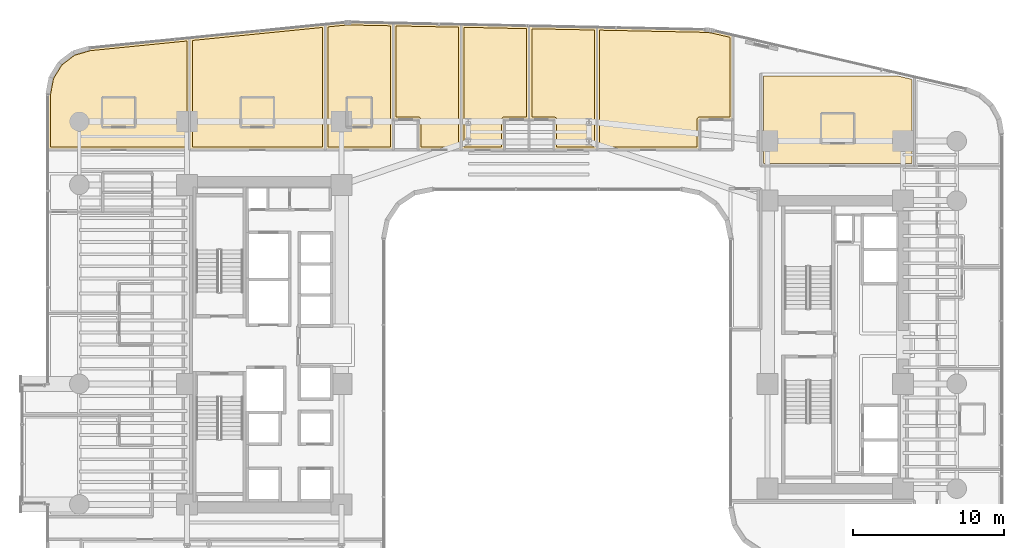
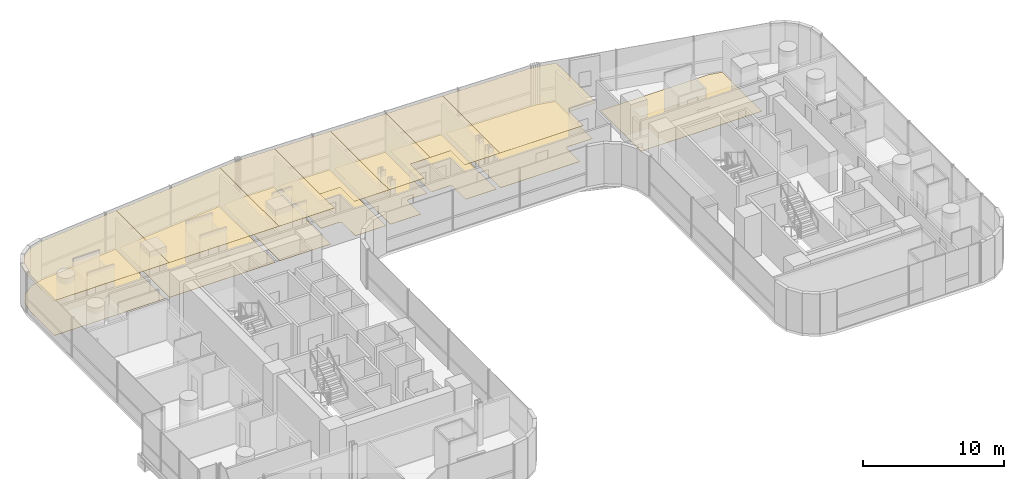
# One storey, part 41 of 42: 15 coverings.
"""IFC4 building model written with IfcOpenShell, lengths in metres."""

from ifc_helpers import new_model, si_unit, direction, frame, origin, place, context, subcontext, project, spatial, polyline, outline, extrude, material, layer, layer_set, type_object, element, save


model = new_model("IFC4")

# Units and contexts
model_context = context("Model", 3, precision=1e-05, world=origin(), true_north=direction((0.0, 1.0)))
body_context = subcontext(model_context, "Body", "Model", "MODEL_VIEW")
ifc_project = project(units=[si_unit("LENGTHUNIT", "METRE"), si_unit("AREAUNIT", "SQUARE_METRE"), si_unit("VOLUMEUNIT", "CUBIC_METRE"), si_unit("PLANEANGLEUNIT", "RADIAN"), si_unit("MASSUNIT", "GRAM", prefix="KILO")], contexts=[model_context])

# Site, building, storey
site_placement = place(None, origin())
site = spatial("IfcSite", under=ifc_project, at=site_placement, CompositionType="ELEMENT")
building_placement = place(site_placement, origin())
building = spatial("IfcBuilding", under=site, at=building_placement, Name="Valdorenza Pilgrim Sanctuary Tower", CompositionType="ELEMENT")
storey_placement = place(building_placement, frame((0.0, 0.0, 29.699951171875)))
storey = spatial("IfcBuildingStorey", under=building, at=storey_placement, Name="L06", CompositionType="ELEMENT", Elevation=29.699951171875)

# Coverings
ifc_material_1 = material(Name="Micro-perforated acoustic mineral ceiling tile", Category="gypsum")
ifc_layer_1 = layer(ifc_material_1, 0.02490234375, Name="Micro-perforated acoustic mineral ceiling tile")
ifc_layer_set_1 = layer_set([ifc_layer_1], Name="Micro-perforated acoustic mineral ceiling tile")
covering_type_1 = type_object("IfcCoveringType", Name="COV-CLG-ACU", PredefinedType="CEILING", material=ifc_layer_set_1)
covering_1_placement = place(storey_placement, frame((0.0, 0.0, 3.16015625)))
element("IfcCovering", 1, at=covering_1_placement, inside=storey, type_object=covering_type_1, Name="L06 North Guest Room L06-N1 Acoustic Ceiling", PredefinedType="CEILING", context=body_context, shape_type="SweptSolid", body=[
    extrude(outline(polyline([(-31.6962890625, 17.717041015625), (-31.696044921875, 17.718505859375), (-31.695556640625, 17.7197265625), (-31.695068359375, 17.720947265625), (-31.6943359375, 17.72216796875), (-31.102294921875, 18.68408203125), (-31.1015625, 18.685302734375), (-31.100830078125, 18.686279296875), (-31.099853515625, 18.687255859375), (-31.0986328125, 18.688232421875), (-30.20068359375, 19.372802734375), (-30.199462890625, 19.37353515625), (-30.1982421875, 19.374267578125), (-30.197021484375, 19.374755859375), (-30.19580078125, 19.375244140625), (-29.1015625, 19.694091796875), (-29.10009765625, 19.694580078125), (-29.098876953125, 19.694580078125), (-22.491455078125, 20.35546875), (-22.489990234375, 20.35546875), (-22.488525390625, 20.35546875), (-22.487060546875, 20.355224609375), (-22.485595703125, 20.354736328125), (-22.484375, 20.354248046875), (-22.48291015625, 20.353759765625), (-22.481689453125, 20.35302734375), (-22.48046875, 20.35205078125), (-22.4794921875, 20.35107421875), (-22.478515625, 20.35009765625), (-22.4775390625, 20.348876953125), (-22.476806640625, 20.34765625), (-22.47607421875, 20.34619140625), (-22.4755859375, 20.3447265625), (-22.475341796875, 20.343505859375), (-22.47509765625, 20.342041015625), (-22.47509765625, 20.340576171875), (-22.47509765625, 12.919921875), (-22.47509765625, 12.91845703125), (-22.475341796875, 12.9169921875), (-22.4755859375, 12.91552734375), (-22.47607421875, 12.914306640625), (-22.476806640625, 12.912841796875), (-22.4775390625, 12.91162109375), (-22.478515625, 12.910400390625), (-22.4794921875, 12.909423828125), (-22.48046875, 12.908447265625), (-22.481689453125, 12.907470703125), (-22.48291015625, 12.90673828125), (-22.484375, 12.906005859375), (-22.485595703125, 12.905517578125), (-22.487060546875, 12.9052734375), (-22.488525390625, 12.905029296875), (-22.489990234375, 12.905029296875), (-31.889892578125, 12.905029296875), (-31.8916015625, 12.905029296875), (-31.892822265625, 12.9052734375), (-31.894287109375, 12.905517578125), (-31.895751953125, 12.906005859375), (-31.897216796875, 12.90673828125), (-31.898193359375, 12.907470703125), (-31.8994140625, 12.908447265625), (-31.900634765625, 12.909423828125), (-31.901611328125, 12.910400390625), (-31.902587890625, 12.91162109375), (-31.9033203125, 12.912841796875), (-31.90380859375, 12.914306640625), (-31.904296875, 12.91552734375), (-31.90478515625, 12.9169921875), (-31.90478515625, 12.91845703125), (-31.905029296875, 12.919921875), (-31.905029296875, 16.593994140625), (-31.90478515625, 16.59521484375), (-31.90478515625, 16.5966796875), (-31.6962890625, 17.717041015625)])), origin(), (0.0, 0.0, 1.0), 0.02490234375),
])
covering_2_placement = place(storey_placement, frame((0.0, 0.0, 3.16015625)))
element("IfcCovering", 2, at=covering_2_placement, inside=storey, type_object=covering_type_1, Name="L06 North Guest Room L06-N2 Acoustic Ceiling", PredefinedType="CEILING", context=body_context, shape_type="SweptSolid", body=[
    extrude(outline(polyline([(-22.5029296875, 20.340576171875), (-22.5029296875, 20.341552734375), (-22.502685546875, 20.343017578125), (-22.50244140625, 20.344482421875), (-22.502197265625, 20.345947265625), (-22.50146484375, 20.347412109375), (-22.500732421875, 20.3486328125), (-22.499755859375, 20.349853515625), (-22.498779296875, 20.35107421875), (-22.497802734375, 20.35205078125), (-22.49658203125, 20.35302734375), (-22.495361328125, 20.353759765625), (-22.493896484375, 20.3544921875), (-22.492431640625, 20.35498046875), (-22.490966796875, 20.35546875), (-22.489501953125, 20.355712890625), (-13.4814453125, 21.25634765625), (-13.47998046875, 21.256591796875), (-13.478515625, 21.25634765625), (-13.47705078125, 21.256103515625), (-13.4755859375, 21.255859375), (-13.474365234375, 21.25537109375), (-13.472900390625, 21.254638671875), (-13.4716796875, 21.25390625), (-13.470458984375, 21.253173828125), (-13.469482421875, 21.252197265625), (-13.468505859375, 21.2509765625), (-13.467529296875, 21.249755859375), (-13.466796875, 21.24853515625), (-13.466064453125, 21.247314453125), (-13.465576171875, 21.245849609375), (-13.46533203125, 21.244384765625), (-13.465087890625, 21.242919921875), (-13.465087890625, 21.241455078125), (-13.465087890625, 12.919921875), (-13.465087890625, 12.91845703125), (-13.46533203125, 12.9169921875), (-13.465576171875, 12.91552734375), (-13.466064453125, 12.914306640625), (-13.466796875, 12.912841796875), (-13.467529296875, 12.91162109375), (-13.468505859375, 12.910400390625), (-13.469482421875, 12.909423828125), (-13.470458984375, 12.908447265625), (-13.4716796875, 12.907470703125), (-13.472900390625, 12.90673828125), (-13.474365234375, 12.906005859375), (-13.4755859375, 12.905517578125), (-13.47705078125, 12.9052734375), (-13.478515625, 12.905029296875), (-13.47998046875, 12.905029296875), (-22.488037109375, 12.905029296875), (-22.489501953125, 12.905029296875), (-22.490966796875, 12.9052734375), (-22.492431640625, 12.905517578125), (-22.49365234375, 12.906005859375), (-22.4951171875, 12.90673828125), (-22.496337890625, 12.907470703125), (-22.49755859375, 12.908447265625), (-22.49853515625, 12.909423828125), (-22.49951171875, 12.910400390625), (-22.50048828125, 12.91162109375), (-22.501220703125, 12.912841796875), (-22.501953125, 12.914306640625), (-22.50244140625, 12.91552734375), (-22.502685546875, 12.9169921875), (-22.5029296875, 12.91845703125), (-22.5029296875, 12.919921875), (-22.5029296875, 20.340576171875), (-22.5029296875, 20.340576171875)])), origin(), (0.0, 0.0, 1.0), 0.02490234375),
])
covering_3_placement = place(storey_placement, frame((0.0, 0.0, 3.16015625)))
element("IfcCovering", 3, at=covering_3_placement, inside=storey, type_object=covering_type_1, Name="L06 North Guest Room L06-N3A Acoustic Ceiling", PredefinedType="CEILING", context=body_context, shape_type="SweptSolid", body=[
    extrude(outline(polyline([(-13.492919921875, 21.241455078125), (-13.492919921875, 21.242431640625), (-13.492919921875, 21.243896484375), (-13.492431640625, 21.24560546875), (-13.4921875, 21.246826171875), (-13.491455078125, 21.248291015625), (-13.49072265625, 21.24951171875), (-13.48974609375, 21.2509765625), (-13.489013671875, 21.251953125), (-13.48779296875, 21.253173828125), (-13.486572265625, 21.25390625), (-13.4853515625, 21.2548828125), (-13.48388671875, 21.255615234375), (-13.482421875, 21.256103515625), (-13.48095703125, 21.25634765625), (-13.4794921875, 21.256591796875), (-12.18359375, 21.38623046875), (-12.183349609375, 21.38623046875), (-12.089599609375, 21.39404296875), (-12.089111328125, 21.39404296875), (-11.996337890625, 21.399169921875), (-11.995849609375, 21.3994140625), (-11.902587890625, 21.401611328125), (-11.90234375, 21.401611328125), (-11.808349609375, 21.40087890625), (-11.80810546875, 21.40087890625), (-8.974609375, 21.342041015625), (-8.97314453125, 21.341796875), (-8.9716796875, 21.341552734375), (-8.970458984375, 21.34130859375), (-8.968994140625, 21.3408203125), (-8.9677734375, 21.340087890625), (-8.966552734375, 21.33935546875), (-8.96533203125, 21.33837890625), (-8.96435546875, 21.33740234375), (-8.96337890625, 21.33642578125), (-8.96240234375, 21.335205078125), (-8.961669921875, 21.333984375), (-8.961181640625, 21.33251953125), (-8.960693359375, 21.331298828125), (-8.960205078125, 21.329833984375), (-8.960205078125, 21.328369140625), (-8.9599609375, 21.326904296875), (-8.9599609375, 12.919921875), (-8.960205078125, 12.91845703125), (-8.960205078125, 12.9169921875), (-8.960693359375, 12.91552734375), (-8.961181640625, 12.914306640625), (-8.9619140625, 12.912841796875), (-8.96240234375, 12.91162109375), (-8.96337890625, 12.910400390625), (-8.96435546875, 12.909423828125), (-8.965576171875, 12.908447265625), (-8.966796875, 12.907470703125), (-8.968017578125, 12.90673828125), (-8.96923828125, 12.906005859375), (-8.970703125, 12.905517578125), (-8.97216796875, 12.9052734375), (-8.973388671875, 12.905029296875), (-8.97509765625, 12.905029296875), (-13.47802734375, 12.905029296875), (-13.4794921875, 12.905029296875), (-13.48095703125, 12.9052734375), (-13.482421875, 12.905517578125), (-13.483642578125, 12.906005859375), (-13.485107421875, 12.90673828125), (-13.486328125, 12.907470703125), (-13.487548828125, 12.908447265625), (-13.488525390625, 12.909423828125), (-13.489501953125, 12.910400390625), (-13.490478515625, 12.91162109375), (-13.4912109375, 12.912841796875), (-13.491943359375, 12.914306640625), (-13.492431640625, 12.91552734375), (-13.49267578125, 12.9169921875), (-13.492919921875, 12.91845703125), (-13.492919921875, 12.919921875), (-13.492919921875, 21.241455078125), (-13.492919921875, 21.241455078125)])), origin(), (0.0, 0.0, 1.0), 0.02490234375),
])
covering_4_placement = place(storey_placement, frame((0.0, 0.0, 3.16015625)))
element("IfcCovering", 4, at=covering_4_placement, inside=storey, type_object=covering_type_1, Name="L06 North Guest Room L06-N3B Acoustic Ceiling", PredefinedType="CEILING", context=body_context, shape_type="SweptSolid", body=[
    extrude(outline(polyline([(-7.337890625, 14.906982421875), (-8.972900390625, 14.906982421875), (-8.974609375, 14.906982421875), (-8.975830078125, 14.9072265625), (-8.977294921875, 14.90771484375), (-8.978759765625, 14.908203125), (-8.97998046875, 14.90869140625), (-8.981201171875, 14.909423828125), (-8.982421875, 14.910400390625), (-8.983642578125, 14.911376953125), (-8.984619140625, 14.91259765625), (-8.985595703125, 14.913818359375), (-8.986083984375, 14.914794921875), (-8.98681640625, 14.916259765625), (-8.9873046875, 14.91748046875), (-8.98779296875, 14.919189453125), (-8.98779296875, 14.92041015625), (-8.988037109375, 14.922119140625), (-8.988037109375, 21.326904296875), (-8.98779296875, 21.328369140625), (-8.98779296875, 21.329833984375), (-8.9873046875, 21.331298828125), (-8.98681640625, 21.332763671875), (-8.986083984375, 21.333984375), (-8.9853515625, 21.33544921875), (-8.984619140625, 21.336669921875), (-8.9833984375, 21.337646484375), (-8.982421875, 21.338623046875), (-8.981201171875, 21.339599609375), (-8.97998046875, 21.34033203125), (-8.978515625, 21.3408203125), (-8.97705078125, 21.34130859375), (-8.9755859375, 21.341796875), (-8.97412109375, 21.341796875), (-8.97265625, 21.341796875), (-4.4697265625, 21.248046875), (-4.46826171875, 21.248046875), (-4.466796875, 21.247802734375), (-4.46533203125, 21.247314453125), (-4.464111328125, 21.246826171875), (-4.462646484375, 21.24609375), (-4.46142578125, 21.24560546875), (-4.460205078125, 21.24462890625), (-4.459228515625, 21.24365234375), (-4.458251953125, 21.242431640625), (-4.45751953125, 21.241455078125), (-4.456787109375, 21.239990234375), (-4.4560546875, 21.23876953125), (-4.45556640625, 21.2373046875), (-4.455322265625, 21.236083984375), (-4.455078125, 21.234619140625), (-4.455078125, 21.233154296875), (-4.455078125, 12.919921875), (-4.455078125, 12.91845703125), (-4.455322265625, 12.9169921875), (-4.45556640625, 12.91552734375), (-4.4560546875, 12.914306640625), (-4.456787109375, 12.912841796875), (-4.45751953125, 12.91162109375), (-4.45849609375, 12.910400390625), (-4.45947265625, 12.909423828125), (-4.46044921875, 12.908447265625), (-4.461669921875, 12.907470703125), (-4.462890625, 12.90673828125), (-4.46435546875, 12.906005859375), (-4.465576171875, 12.905517578125), (-4.467041015625, 12.9052734375), (-4.468505859375, 12.905029296875), (-4.469970703125, 12.905029296875), (-7.322998046875, 12.905029296875), (-7.324462890625, 12.905029296875), (-7.325927734375, 12.9052734375), (-7.327392578125, 12.905517578125), (-7.32861328125, 12.906005859375), (-7.330078125, 12.90673828125), (-7.331298828125, 12.907470703125), (-7.33251953125, 12.908447265625), (-7.33349609375, 12.909423828125), (-7.334716796875, 12.910400390625), (-7.33544921875, 12.91162109375), (-7.336181640625, 12.912841796875), (-7.3369140625, 12.914306640625), (-7.33740234375, 12.91552734375), (-7.337646484375, 12.9169921875), (-7.337890625, 12.91845703125), (-7.337890625, 12.919921875), (-7.337890625, 14.906982421875)])), origin(), (0.0, 0.0, 1.0), 0.02490234375),
])
covering_5_placement = place(storey_placement, frame((0.0, 0.0, 3.16015625)))
element("IfcCovering", 5, at=covering_5_placement, inside=storey, type_object=covering_type_1, Name="L06 North Guest Room L06-N4A Acoustic Ceiling", PredefinedType="CEILING", context=body_context, shape_type="SweptSolid", body=[
    extrude(outline(polyline([(-1.60205078125, 14.906982421875), (-1.60205078125, 12.919921875), (-1.60205078125, 12.91845703125), (-1.602294921875, 12.9169921875), (-1.6025390625, 12.91552734375), (-1.60302734375, 12.914306640625), (-1.603759765625, 12.912841796875), (-1.6044921875, 12.91162109375), (-1.60546875, 12.910400390625), (-1.6064453125, 12.909423828125), (-1.607421875, 12.908447265625), (-1.608642578125, 12.907470703125), (-1.60986328125, 12.90673828125), (-1.611328125, 12.906005859375), (-1.612548828125, 12.905517578125), (-1.614013671875, 12.9052734375), (-1.615478515625, 12.905029296875), (-1.616943359375, 12.905029296875), (-4.468017578125, 12.905029296875), (-4.469482421875, 12.905029296875), (-4.470947265625, 12.9052734375), (-4.472412109375, 12.905517578125), (-4.4736328125, 12.906005859375), (-4.47509765625, 12.90673828125), (-4.476318359375, 12.907470703125), (-4.4775390625, 12.908447265625), (-4.478515625, 12.909423828125), (-4.4794921875, 12.910400390625), (-4.48046875, 12.91162109375), (-4.481201171875, 12.912841796875), (-4.48193359375, 12.914306640625), (-4.482421875, 12.91552734375), (-4.482666015625, 12.9169921875), (-4.48291015625, 12.91845703125), (-4.48291015625, 12.919921875), (-4.48291015625, 21.233154296875), (-4.48291015625, 21.234619140625), (-4.482666015625, 21.236083984375), (-4.482421875, 21.237548828125), (-4.481689453125, 21.239013671875), (-4.481201171875, 21.240234375), (-4.48046875, 21.241455078125), (-4.4794921875, 21.24267578125), (-4.478515625, 21.243896484375), (-4.477294921875, 21.244873046875), (-4.476318359375, 21.24560546875), (-4.474853515625, 21.246337890625), (-4.473388671875, 21.2470703125), (-4.47216796875, 21.24755859375), (-4.470703125, 21.247802734375), (-4.46923828125, 21.248046875), (-4.4677734375, 21.248046875), (0.035400390625, 21.154296875), (0.036865234375, 21.154296875), (0.0380859375, 21.15380859375), (0.03955078125, 21.153564453125), (0.041015625, 21.153076171875), (0.042236328125, 21.15234375), (0.04345703125, 21.151611328125), (0.044677734375, 21.150634765625), (0.045654296875, 21.14990234375), (0.046630859375, 21.148681640625), (0.047607421875, 21.1474609375), (0.04833984375, 21.146240234375), (0.048828125, 21.14501953125), (0.04931640625, 21.1435546875), (0.0498046875, 21.14208984375), (0.0498046875, 21.140625), (0.050048828125, 21.139404296875), (0.050048828125, 14.922119140625), (0.0498046875, 14.92041015625), (0.0498046875, 14.919189453125), (0.04931640625, 14.91748046875), (0.048828125, 14.916259765625), (0.048095703125, 14.914794921875), (0.047607421875, 14.913818359375), (0.046630859375, 14.91259765625), (0.045654296875, 14.911376953125), (0.04443359375, 14.910400390625), (0.043212890625, 14.909423828125), (0.0419921875, 14.90869140625), (0.040771484375, 14.908203125), (0.039306640625, 14.90771484375), (0.037841796875, 14.9072265625), (0.03662109375, 14.906982421875), (0.034912109375, 14.906982421875), (-1.60205078125, 14.906982421875)])), origin(), (0.0, 0.0, 1.0), 0.02490234375),
])
covering_6_placement = place(storey_placement, frame((0.0, 0.0, 3.16015625)))
element("IfcCovering", 6, at=covering_6_placement, inside=storey, type_object=covering_type_1, Name="L06 North Guest Room L06-N4B Acoustic Ceiling", PredefinedType="CEILING", context=body_context, shape_type="SweptSolid", body=[
    extrude(outline(polyline([(1.672119140625, 14.906982421875), (0.037109375, 14.906982421875), (0.035400390625, 14.906982421875), (0.0341796875, 14.9072265625), (0.03271484375, 14.90771484375), (0.03125, 14.908203125), (0.02978515625, 14.90869140625), (0.02880859375, 14.909423828125), (0.027587890625, 14.910400390625), (0.0263671875, 14.911376953125), (0.025390625, 14.91259765625), (0.0244140625, 14.913818359375), (0.023681640625, 14.914794921875), (0.023193359375, 14.916259765625), (0.022705078125, 14.91748046875), (0.022216796875, 14.919189453125), (0.022216796875, 14.92041015625), (0.02197265625, 14.922119140625), (0.02197265625, 21.13916015625), (0.022216796875, 21.140625), (0.022216796875, 21.14208984375), (0.022705078125, 21.1435546875), (0.023193359375, 21.14501953125), (0.023681640625, 21.146484375), (0.024658203125, 21.147705078125), (0.025390625, 21.148681640625), (0.026611328125, 21.14990234375), (0.027587890625, 21.15087890625), (0.02880859375, 21.15185546875), (0.030029296875, 21.152587890625), (0.031494140625, 21.1533203125), (0.032958984375, 21.153564453125), (0.0341796875, 21.154052734375), (0.035888671875, 21.154296875), (0.037353515625, 21.154296875), (4.540283203125, 21.060302734375), (4.541748046875, 21.060302734375), (4.543212890625, 21.06005859375), (4.544677734375, 21.059814453125), (4.5458984375, 21.05908203125), (4.54736328125, 21.05859375), (4.548583984375, 21.057861328125), (4.5498046875, 21.056884765625), (4.55078125, 21.055908203125), (4.5517578125, 21.0546875), (4.552490234375, 21.0537109375), (4.55322265625, 21.052490234375), (4.553955078125, 21.051025390625), (4.554443359375, 21.0498046875), (4.5546875, 21.04833984375), (4.554931640625, 21.046875), (4.554931640625, 21.04541015625), (4.554931640625, 12.919921875), (4.554931640625, 12.91845703125), (4.5546875, 12.9169921875), (4.554443359375, 12.91552734375), (4.553955078125, 12.914306640625), (4.55322265625, 12.912841796875), (4.552490234375, 12.91162109375), (4.551513671875, 12.910400390625), (4.550537109375, 12.909423828125), (4.549560546875, 12.908447265625), (4.54833984375, 12.907470703125), (4.547119140625, 12.90673828125), (4.545654296875, 12.906005859375), (4.54443359375, 12.905517578125), (4.54296875, 12.9052734375), (4.54150390625, 12.905029296875), (4.5400390625, 12.905029296875), (1.68701171875, 12.905029296875), (1.685546875, 12.905029296875), (1.68408203125, 12.9052734375), (1.6826171875, 12.905517578125), (1.681396484375, 12.906005859375), (1.679931640625, 12.90673828125), (1.6787109375, 12.907470703125), (1.677490234375, 12.908447265625), (1.676513671875, 12.909423828125), (1.67529296875, 12.910400390625), (1.674560546875, 12.91162109375), (1.673828125, 12.912841796875), (1.673095703125, 12.914306640625), (1.672607421875, 12.91552734375), (1.67236328125, 12.9169921875), (1.672119140625, 12.91845703125), (1.672119140625, 12.919921875), (1.672119140625, 14.906982421875)])), origin(), (0.0, 0.0, 1.0), 0.02490234375),
])
covering_7_placement = place(storey_placement, frame((0.0, 0.0, 3.16015625)))
element("IfcCovering", 7, at=covering_7_placement, inside=storey, type_object=covering_type_1, Name="L06 North Guest Room L06-N5 Acoustic Ceiling", PredefinedType="CEILING", context=body_context, shape_type="SweptSolid", body=[
    extrude(outline(polyline([(11.363037109375, 14.906982421875), (11.363037109375, 12.919921875), (11.36279296875, 12.91845703125), (11.36279296875, 12.9169921875), (11.3623046875, 12.91552734375), (11.36181640625, 12.914306640625), (11.361083984375, 12.912841796875), (11.360595703125, 12.91162109375), (11.359619140625, 12.910400390625), (11.358642578125, 12.909423828125), (11.357421875, 12.908447265625), (11.356201171875, 12.907470703125), (11.35498046875, 12.90673828125), (11.353759765625, 12.906005859375), (11.352294921875, 12.905517578125), (11.350830078125, 12.9052734375), (11.349609375, 12.905029296875), (11.347900390625, 12.905029296875), (4.5419921875, 12.905029296875), (4.54052734375, 12.905029296875), (4.5390625, 12.9052734375), (4.53759765625, 12.905517578125), (4.536376953125, 12.906005859375), (4.534912109375, 12.90673828125), (4.53369140625, 12.907470703125), (4.532470703125, 12.908447265625), (4.531494140625, 12.909423828125), (4.530517578125, 12.910400390625), (4.529541015625, 12.91162109375), (4.52880859375, 12.912841796875), (4.528076171875, 12.914306640625), (4.527587890625, 12.91552734375), (4.52734375, 12.9169921875), (4.527099609375, 12.91845703125), (4.527099609375, 12.919921875), (4.527099609375, 21.04541015625), (4.527099609375, 21.046875), (4.52734375, 21.04833984375), (4.527587890625, 21.0498046875), (4.5283203125, 21.05126953125), (4.52880859375, 21.052490234375), (4.529541015625, 21.0537109375), (4.530517578125, 21.054931640625), (4.531494140625, 21.05615234375), (4.53271484375, 21.05712890625), (4.53369140625, 21.057861328125), (4.53515625, 21.05859375), (4.53662109375, 21.059326171875), (4.537841796875, 21.059814453125), (4.539306640625, 21.06005859375), (4.540771484375, 21.060302734375), (4.542236328125, 21.060302734375), (11.666015625, 20.912109375), (11.66650390625, 20.911865234375), (11.82666015625, 20.904296875), (11.827392578125, 20.904296875), (11.98583984375, 20.888916015625), (11.986572265625, 20.888671875), (12.143798828125, 20.864990234375), (12.14453125, 20.864990234375), (12.302001953125, 20.832763671875), (12.30224609375, 20.832763671875), (13.553466796875, 20.5439453125), (13.5546875, 20.543701171875), (13.55615234375, 20.543212890625), (13.557373046875, 20.54248046875), (13.55859375, 20.541748046875), (13.559814453125, 20.540771484375), (13.560791015625, 20.539794921875), (13.561767578125, 20.538818359375), (13.5625, 20.53759765625), (13.563232421875, 20.536376953125), (13.56396484375, 20.534912109375), (13.564453125, 20.53369140625), (13.564697265625, 20.5322265625), (13.56494140625, 20.53076171875), (13.56494140625, 20.529296875), (13.56494140625, 14.922119140625), (13.56494140625, 14.92041015625), (13.564697265625, 14.919189453125), (13.564453125, 14.91748046875), (13.56396484375, 14.916259765625), (13.563232421875, 14.914794921875), (13.5625, 14.913818359375), (13.5615234375, 14.91259765625), (13.560546875, 14.911376953125), (13.5595703125, 14.910400390625), (13.558349609375, 14.909423828125), (13.55712890625, 14.90869140625), (13.5556640625, 14.908203125), (13.554443359375, 14.90771484375), (13.552978515625, 14.9072265625), (13.551513671875, 14.906982421875), (13.550048828125, 14.906982421875), (11.363037109375, 14.906982421875)])), origin(), (0.0, 0.0, 1.0), 0.02490234375),
])
ifc_material_2 = material(Name="Engineered European oak timber flooring", Category="wood")
ifc_layer_2 = layer(ifc_material_2, 0.02197265625, Name="Engineered European oak timber flooring")
ifc_layer_set_2 = layer_set([ifc_layer_2], Name="Engineered European oak timber flooring")
covering_type_2 = type_object("IfcCoveringType", Name="COV-FLR-OAK", PredefinedType="FLOORING", material=ifc_layer_set_2)
covering_8_placement = place(storey_placement, origin())
element("IfcCovering", 8, at=covering_8_placement, inside=storey, type_object=covering_type_2, Name="L06 North Guest Room L06-N1 Flooring", PredefinedType="FLOORING", context=body_context, shape_type="SweptSolid", body=[
    extrude(outline(polyline([(-31.5107421875, 17.6484375), (-30.953857421875, 18.553466796875), (-30.109130859375, 19.197509765625), (-29.06298828125, 19.502197265625), (-22.669921875, 20.1416015625), (-22.669921875, 13.10009765625), (-31.7099609375, 13.10009765625), (-31.7099609375, 16.577392578125), (-31.5107421875, 17.6484375)])), origin(), (0.0, 0.0, 1.0), 0.025146484375),
])
covering_9_placement = place(storey_placement, origin())
element("IfcCovering", 9, at=covering_9_placement, inside=storey, type_object=covering_type_2, Name="L06 North Guest Room L06-N2 Flooring", PredefinedType="FLOORING", context=body_context, shape_type="SweptSolid", body=[
    extrude(outline(polyline([(-13.659912109375, 21.04248046875), (-13.659912109375, 13.10009765625), (-22.30810546875, 13.10009765625), (-22.30810546875, 20.177490234375), (-13.659912109375, 21.04248046875)])), origin(), (0.0, 0.0, 1.0), 0.025146484375),
])
covering_10_placement = place(storey_placement, origin())
element("IfcCovering", 10, at=covering_10_placement, inside=storey, type_object=covering_type_2, Name="L06 North Guest Room L06-N3A Flooring", PredefinedType="FLOORING", context=body_context, shape_type="SweptSolid", body=[
    extrude(outline(polyline([(-12.16552734375, 21.19189453125), (-12.07568359375, 21.19970703125), (-11.98828125, 21.204345703125), (-11.900634765625, 21.20654296875), (-11.810791015625, 21.2060546875), (-9.155029296875, 21.150634765625), (-9.155029296875, 13.10009765625), (-13.298095703125, 13.10009765625), (-13.298095703125, 21.07861328125), (-12.16552734375, 21.19189453125)])), origin(), (0.0, 0.0, 1.0), 0.025146484375),
])
covering_11_placement = place(storey_placement, origin())
element("IfcCovering", 11, at=covering_11_placement, inside=storey, type_object=covering_type_2, Name="L06 North Guest Room L06-N3B Flooring", PredefinedType="FLOORING", context=body_context, shape_type="SweptSolid", body=[
    extrude(outline(polyline([(-7.14306640625, 13.10009765625), (-7.14306640625, 14.919921875), (-7.143310546875, 14.9287109375), (-7.143310546875, 14.928955078125), (-7.14501953125, 14.946533203125), (-7.14501953125, 14.94677734375), (-7.1484375, 14.964111328125), (-7.1484375, 14.96435546875), (-7.153564453125, 14.981201171875), (-7.15380859375, 14.9814453125), (-7.160400390625, 14.997802734375), (-7.160400390625, 14.997802734375), (-7.168701171875, 15.013427734375), (-7.1689453125, 15.013671875), (-7.1787109375, 15.0283203125), (-7.178955078125, 15.028564453125), (-7.190185546875, 15.0419921875), (-7.190185546875, 15.042236328125), (-7.20263671875, 15.0546875), (-7.202880859375, 15.054931640625), (-7.216552734375, 15.066162109375), (-7.216796875, 15.066162109375), (-7.2314453125, 15.076171875), (-7.2314453125, 15.076171875), (-7.2470703125, 15.08447265625), (-7.247314453125, 15.084716796875), (-7.263671875, 15.09130859375), (-7.263916015625, 15.09130859375), (-7.28076171875, 15.096435546875), (-7.281005859375, 15.0966796875), (-7.298095703125, 15.10009765625), (-7.29833984375, 15.10009765625), (-7.31591796875, 15.101806640625), (-7.316162109375, 15.101806640625), (-7.324951171875, 15.10205078125), (-8.79296875, 15.10205078125), (-8.79296875, 21.14306640625), (-4.64990234375, 21.056884765625), (-4.64990234375, 13.10009765625), (-7.14306640625, 13.10009765625)])), origin(), (0.0, 0.0, 1.0), 0.025146484375),
])
covering_12_placement = place(storey_placement, origin())
element("IfcCovering", 12, at=covering_12_placement, inside=storey, type_object=covering_type_2, Name="L06 North Guest Room L06-N4A Flooring", PredefinedType="FLOORING", context=body_context, shape_type="SweptSolid", body=[
    extrude(outline(polyline([(-0.14501953125, 20.962890625), (-0.14501953125, 15.10205078125), (-1.614990234375, 15.10205078125), (-1.623779296875, 15.101806640625), (-1.6240234375, 15.101806640625), (-1.6416015625, 15.10009765625), (-1.641845703125, 15.10009765625), (-1.6591796875, 15.0966796875), (-1.6591796875, 15.096435546875), (-1.67626953125, 15.09130859375), (-1.676513671875, 15.09130859375), (-1.692626953125, 15.084716796875), (-1.69287109375, 15.08447265625), (-1.70849609375, 15.076171875), (-1.70849609375, 15.076171875), (-1.723388671875, 15.066162109375), (-1.723388671875, 15.066162109375), (-1.737060546875, 15.054931640625), (-1.7373046875, 15.0546875), (-1.749755859375, 15.042236328125), (-1.75, 15.0419921875), (-1.760986328125, 15.028564453125), (-1.76123046875, 15.0283203125), (-1.77099609375, 15.013671875), (-1.771240234375, 15.013427734375), (-1.779541015625, 14.997802734375), (-1.779541015625, 14.997802734375), (-1.786376953125, 14.9814453125), (-1.786376953125, 14.981201171875), (-1.79150390625, 14.96435546875), (-1.79150390625, 14.964111328125), (-1.794921875, 14.94677734375), (-1.794921875, 14.946533203125), (-1.796875, 14.928955078125), (-1.796875, 14.9287109375), (-1.797119140625, 14.919921875), (-1.797119140625, 13.10009765625), (-4.2880859375, 13.10009765625), (-4.2880859375, 21.04931640625), (-0.14501953125, 20.962890625)])), origin(), (0.0, 0.0, 1.0), 0.025146484375),
])
covering_13_placement = place(storey_placement, origin())
element("IfcCovering", 13, at=covering_13_placement, inside=storey, type_object=covering_type_2, Name="L06 North Guest Room L06-N4B Flooring", PredefinedType="FLOORING", context=body_context, shape_type="SweptSolid", body=[
    extrude(outline(polyline([(1.866943359375, 13.10009765625), (1.866943359375, 14.919921875), (1.86669921875, 14.9287109375), (1.86669921875, 14.928955078125), (1.864990234375, 14.946533203125), (1.864990234375, 14.94677734375), (1.861572265625, 14.964111328125), (1.861572265625, 14.96435546875), (1.8564453125, 14.981201171875), (1.856201171875, 14.9814453125), (1.849609375, 14.997802734375), (1.849609375, 14.997802734375), (1.84130859375, 15.013427734375), (1.841064453125, 15.013671875), (1.831298828125, 15.0283203125), (1.8310546875, 15.028564453125), (1.81982421875, 15.0419921875), (1.81982421875, 15.042236328125), (1.807373046875, 15.0546875), (1.80712890625, 15.054931640625), (1.79345703125, 15.066162109375), (1.793212890625, 15.066162109375), (1.778564453125, 15.076171875), (1.778564453125, 15.076171875), (1.762939453125, 15.08447265625), (1.7626953125, 15.084716796875), (1.746337890625, 15.09130859375), (1.74609375, 15.09130859375), (1.729248046875, 15.096435546875), (1.72900390625, 15.0966796875), (1.7119140625, 15.10009765625), (1.711669921875, 15.10009765625), (1.694091796875, 15.101806640625), (1.69384765625, 15.101806640625), (1.68505859375, 15.10205078125), (0.217041015625, 15.10205078125), (0.217041015625, 20.955322265625), (4.360107421875, 20.869140625), (4.360107421875, 13.10009765625), (1.866943359375, 13.10009765625)])), origin(), (0.0, 0.0, 1.0), 0.025146484375),
])
covering_14_placement = place(storey_placement, origin())
element("IfcCovering", 14, at=covering_14_placement, inside=storey, type_object=covering_type_2, Name="L06 North Guest Room L06-N5 Flooring", PredefinedType="FLOORING", context=body_context, shape_type="SweptSolid", body=[
    extrude(outline(polyline([(11.65966796875, 20.717041015625), (11.81298828125, 20.7099609375), (11.962158203125, 20.6953125), (12.110107421875, 20.6728515625), (12.2607421875, 20.64208984375), (13.3701171875, 20.38623046875), (13.3701171875, 15.10205078125), (11.35009765625, 15.10205078125), (11.34130859375, 15.101806640625), (11.341064453125, 15.101806640625), (11.323486328125, 15.10009765625), (11.3232421875, 15.10009765625), (11.305908203125, 15.0966796875), (11.3056640625, 15.096435546875), (11.288818359375, 15.09130859375), (11.28857421875, 15.09130859375), (11.272216796875, 15.084716796875), (11.272216796875, 15.08447265625), (11.256591796875, 15.076171875), (11.25634765625, 15.076171875), (11.24169921875, 15.066162109375), (11.241455078125, 15.066162109375), (11.227783203125, 15.054931640625), (11.227783203125, 15.0546875), (11.215087890625, 15.042236328125), (11.215087890625, 15.0419921875), (11.203857421875, 15.028564453125), (11.203857421875, 15.0283203125), (11.19384765625, 15.013671875), (11.19384765625, 15.013427734375), (11.185546875, 14.997802734375), (11.185302734375, 14.997802734375), (11.1787109375, 14.9814453125), (11.1787109375, 14.981201171875), (11.173583984375, 14.96435546875), (11.17333984375, 14.964111328125), (11.169921875, 14.94677734375), (11.169921875, 14.946533203125), (11.168212890625, 14.928955078125), (11.168212890625, 14.9287109375), (11.16796875, 14.919921875), (11.16796875, 13.10009765625), (4.721923828125, 13.10009765625), (4.721923828125, 20.861572265625), (11.65966796875, 20.717041015625)])), origin(), (0.0, 0.0, 1.0), 0.025146484375),
])
covering_15_placement = place(storey_placement, origin())
element("IfcCovering", 15, at=covering_15_placement, inside=storey, type_object=covering_type_2, Name="L06 East North Guest Room L06-EN1 Flooring", PredefinedType="FLOORING", context=body_context, shape_type="SweptSolid", body=[
    extrude(outline(polyline([(24.490234375, 17.820068359375), (25.419921875, 17.60546875), (25.419921875, 12.030029296875), (15.580078125, 12.030029296875), (15.580078125, 17.820068359375), (24.490234375, 17.820068359375)])), origin(), (0.0, 0.0, 1.0), 0.025146484375),
])

save(model, "model.ifc")
